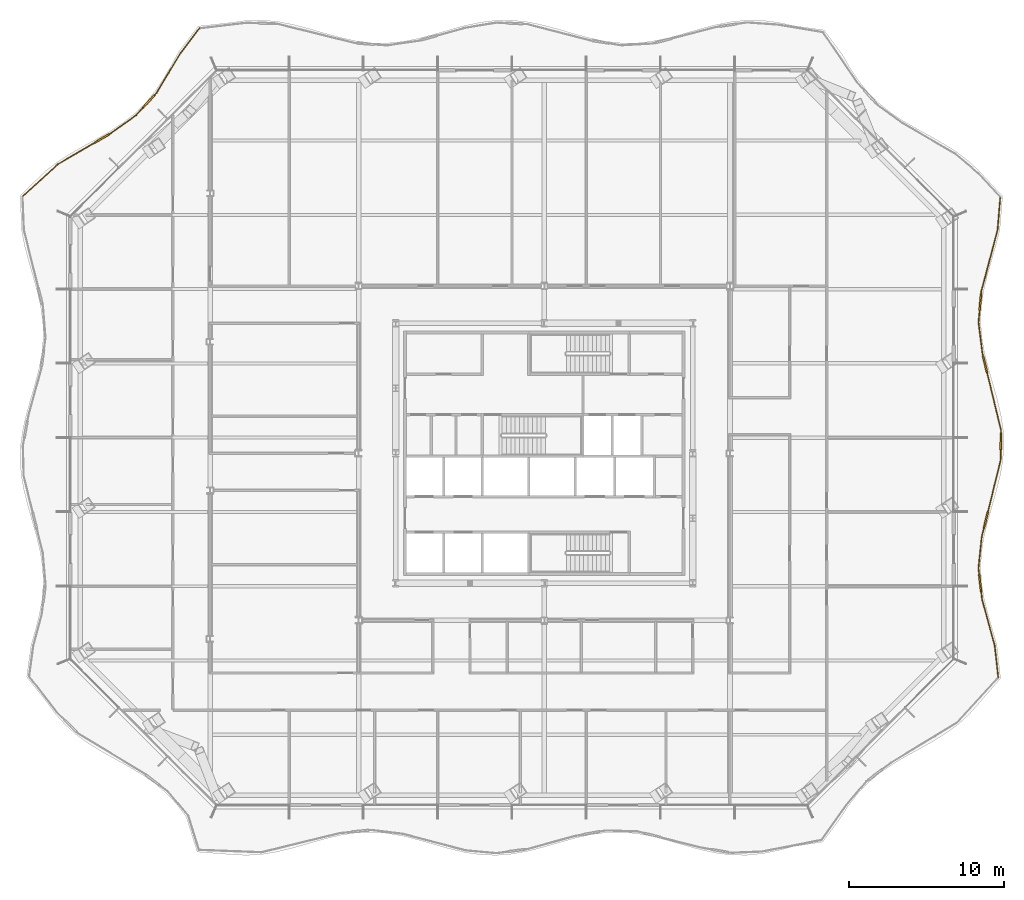
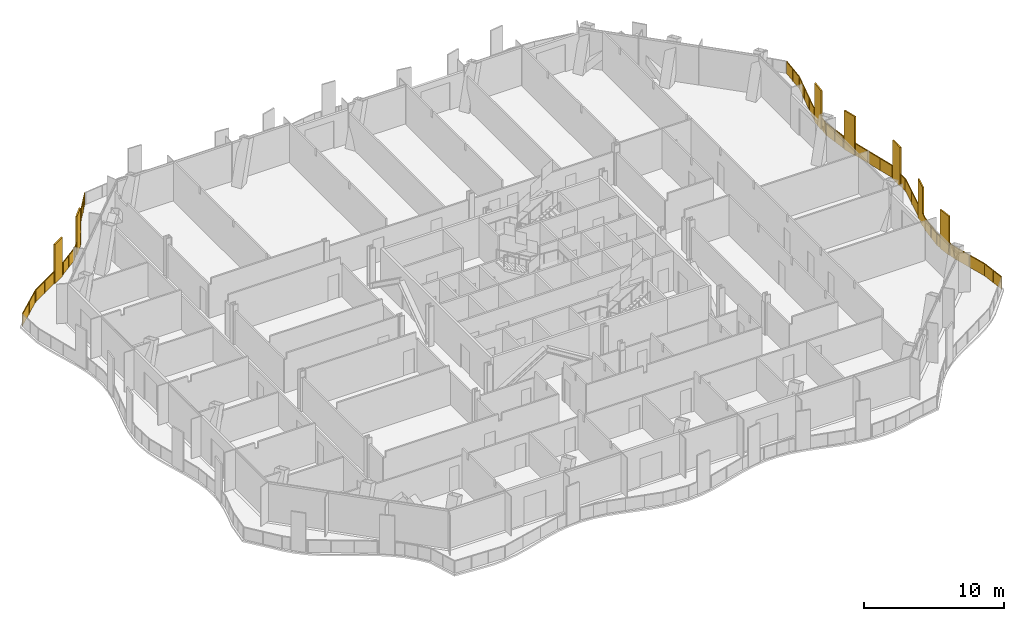
# One storey, part 20 of 22: 2 railings.
"""IFC4 building model written with IfcOpenShell, lengths in metres."""

from ifc_helpers import new_model, si_unit, direction, frame, origin, origin_2d, place, context, subcontext, project, spatial, polyline, rectangle, outline, extrude, material, type_object, element, save


model = new_model("IFC4")

# Units and contexts
model_context = context("Model", 3, precision=1e-05, world=origin(), true_north=direction((0.0, 1.0)))
body_context = subcontext(model_context, "Body", "Model", "MODEL_VIEW")
ifc_project = project(units=[si_unit("LENGTHUNIT", "METRE"), si_unit("AREAUNIT", "SQUARE_METRE"), si_unit("VOLUMEUNIT", "CUBIC_METRE"), si_unit("PLANEANGLEUNIT", "RADIAN"), si_unit("MASSUNIT", "GRAM", prefix="KILO")], contexts=[model_context])

# Site, building, storey
site_placement = place(None, origin())
site = spatial("IfcSite", under=ifc_project, at=site_placement, CompositionType="ELEMENT")
building_placement = place(site_placement, origin())
building = spatial("IfcBuilding", under=site, at=building_placement, Name="Cairn Pilgrim Tower", CompositionType="ELEMENT")
storey_placement = place(building_placement, frame((0.0, 0.0, 105.0)))
storey = spatial("IfcBuildingStorey", under=building, at=storey_placement, Name="L25", CompositionType="ELEMENT", Elevation=105.0)

# Railings
ifc_material = material(Name="Bronze anodised aluminium rail, posts and fin screens with laminated glass infill", Category="aluminium")
railing_type = type_object("IfcRailingType", Name="BALCONY GUARD WITH FIN SCREENS", PredefinedType="GUARDRAIL", material=ifc_material)
railing_1_placement = place(storey_placement, frame((36.54150390625, -12.09375, 0.0)))
element("IfcRailing", 1, at=railing_1_placement, inside=storey, type_object=railing_type, Name="Balcony guard BGF-3 with fin screens", PredefinedType="GUARDRAIL", context=body_context, shape_type="SweptSolid", body=[
    extrude(rectangle(XDim=0.050048828125, YDim=0.050048828125, at=origin_2d()), frame((0.0, 0.0, 1.0751953125), z_axis=(-0.111036990123, 0.99381627418, 0.0), x_axis=(-0.99381627418, -0.111036990123, 0.0)), (0.0, 0.0, 1.0), 2.080078125),
    extrude(rectangle(XDim=0.050048828125, YDim=0.050048828125, at=origin_2d()), frame((-0.23095703125, 2.067138671875, 1.0751953125), z_axis=(-0.263866470339, 0.964559218416, 0.0), x_axis=(-0.964559218416, -0.263866470339, 0.0)), (0.0, 0.0, 1.0), 3.08837890625),
    extrude(rectangle(XDim=1.10009765625, YDim=0.110107421875, at=origin_2d()), frame((-1.168212890625, 6.1005859375, 0.0), z_axis=(0.0, 0.0, 1.0), x_axis=(-0.115122301742, 0.993351325384, 0.0)), (0.0, 0.0, 1.0), 3.39990234375),
    extrude(rectangle(XDim=0.050048828125, YDim=0.050048828125, at=origin_2d()), frame((-1.0458984375, 5.046142578125, 1.0751953125), z_axis=(-0.115122301742, 0.993351325384, 0.0), x_axis=(-0.993351325384, -0.115122301742, 0.0)), (0.0, 0.0, 1.0), 0.511474609375),
    extrude(rectangle(XDim=0.050048828125, YDim=0.050048828125, at=origin_2d()), frame((-1.2314453125, 6.64697265625, 1.0751953125), z_axis=(-0.115122301742, 0.993351325384, 0.0), x_axis=(-0.993351325384, -0.115122301742, 0.0)), (0.0, 0.0, 1.0), 0.416015625),
    extrude(rectangle(XDim=0.050048828125, YDim=0.050048828125, at=origin_2d()), frame((-1.279296875, 7.06005859375, 1.0751953125), z_axis=(0.101832926503, 0.994801515419, 0.0), x_axis=(-0.994801515419, 0.101832926503, 0.0)), (0.0, 0.0, 1.0), 2.0234375),
    extrude(rectangle(XDim=1.10009765625, YDim=0.110107421875, at=origin_2d()), frame((-0.7978515625, 10.1884765625, 0.0), z_axis=(0.0, 0.0, 1.0), x_axis=(0.239700526098, 0.970846876592, 0.0)), (0.0, 0.0, 1.0), 3.39990234375),
    extrude(rectangle(XDim=0.050048828125, YDim=0.050048828125, at=origin_2d()), frame((-1.0732421875, 9.072998046875, 1.0751953125), z_axis=(0.239700526098, 0.970846876592, 0.0), x_axis=(-0.970846876592, 0.239700526098, 0.0)), (0.0, 0.0, 1.0), 0.59912109375),
    extrude(rectangle(XDim=0.050048828125, YDim=0.050048828125, at=origin_2d()), frame((-0.666015625, 10.72265625, 1.0751953125), z_axis=(0.239700526098, 0.970846876592, 0.0), x_axis=(-0.970846876592, 0.239700526098, 0.0)), (0.0, 0.0, 1.0), 3.40869140625),
    extrude(rectangle(XDim=1.10009765625, YDim=0.110107421875, at=origin_2d()), frame((0.16796875, 15.281982421875, 0.0), z_axis=(0.0, 0.0, 1.0), x_axis=(0.013520737172, 0.999908590655, 0.0)), (0.0, 0.0, 1.0), 3.39990234375),
    extrude(rectangle(XDim=0.050048828125, YDim=0.050048828125, at=origin_2d()), frame((0.151123046875, 14.031982421875, 1.0751953125), z_axis=(0.013520737172, 0.999908590655, 0.0), x_axis=(-0.999908590655, 0.013520737172, 0.0)), (0.0, 0.0, 1.0), 0.7001953125),
    extrude(rectangle(XDim=0.050048828125, YDim=0.050048828125, at=origin_2d()), frame((0.175537109375, 15.831787109375, 1.0751953125), z_axis=(0.013520737172, 0.999908590655, 0.0), x_axis=(-0.999908590655, 0.013520737172, 0.0)), (0.0, 0.0, 1.0), 0.150146484375),
    extrude(rectangle(XDim=1.10009765625, YDim=0.110107421875, at=origin_2d()), frame((-0.857177734375, 20.2568359375, 0.0), z_axis=(0.0, 0.0, 1.0), x_axis=(-0.235261490289, 0.971932112437, 0.0)), (0.0, 0.0, 1.0), 3.39990234375),
    extrude(rectangle(XDim=0.050048828125, YDim=0.050048828125, at=origin_2d()), frame((0.177490234375, 15.98193359375, 1.0751953125), z_axis=(-0.235261490289, 0.971932112437, 0.0), x_axis=(-0.971932112437, -0.235261490289, 0.0)), (0.0, 0.0, 1.0), 3.848388671875),
    extrude(rectangle(XDim=0.050048828125, YDim=0.050048828125, at=origin_2d()), frame((-0.986572265625, 20.79150390625, 1.0751953125), z_axis=(-0.235261490289, 0.971932112437, 0.0), x_axis=(-0.971932112437, -0.235261490289, 0.0)), (0.0, 0.0, 1.0), 0.150146484375),
    extrude(rectangle(XDim=0.050048828125, YDim=0.050048828125, at=origin_2d()), frame((-1.02197265625, 20.937255859375, 1.0751953125), z_axis=(-0.126109888678, 0.992016278081, 0.0), x_axis=(-0.992016278081, -0.126109888678, 0.0)), (0.0, 0.0, 1.0), 2.02685546875),
    extrude(rectangle(XDim=1.10009765625, YDim=0.110107421875, at=origin_2d()), frame((-1.158203125, 24.265869140625, 0.0), z_axis=(0.0, 0.0, 1.0), x_axis=(0.090263732863, 0.995917897484, 0.0)), (0.0, 0.0, 1.0), 3.39990234375),
    extrude(rectangle(XDim=0.050048828125, YDim=0.050048828125, at=origin_2d()), frame((-1.277587890625, 22.947998046875, 1.0751953125), z_axis=(0.090263732863, 0.995917897484, 0.0), x_axis=(-0.995917897484, 0.090263732863, 0.0)), (0.0, 0.0, 1.0), 0.773193359375),
    extrude(rectangle(XDim=0.050048828125, YDim=0.050048828125, at=origin_2d()), frame((-1.1083984375, 24.8134765625, 1.0751953125), z_axis=(0.090263732863, 0.995917897484, 0.0), x_axis=(-0.995917897484, 0.090263732863, 0.0)), (0.0, 0.0, 1.0), 0.14990234375),
    extrude(rectangle(XDim=0.050048828125, YDim=0.050048828125, at=origin_2d()), frame((-1.094970703125, 24.962890625, 1.0751953125), z_axis=(0.255864795404, 0.96671257697, 0.0), x_axis=(-0.96671257697, 0.255864795404, 0.0)), (0.0, 0.0, 1.0), 4.108642578125),
    extrude(rectangle(XDim=0.050048828125, YDim=0.050048828125, at=origin_2d()), frame((-0.043701171875, 28.934814453125, 1.0751953125), z_axis=(0.08237157818, 0.996601687289, 0.0), x_axis=(-0.996601687289, 0.08237157818, 0.0)), (0.0, 0.0, 1.0), 2.06884765625),
    extrude(rectangle(XDim=0.050048828125, YDim=0.050048828125, at=origin_2d()), origin(), (0.0, 0.0, 1.0), 1.050048828125),
    extrude(rectangle(XDim=0.050048828125, YDim=0.050048828125, at=origin_2d()), frame((-0.115478515625, 1.03369140625, 0.0)), (0.0, 0.0, 1.0), 1.050048828125),
    extrude(rectangle(XDim=0.050048828125, YDim=0.050048828125, at=origin_2d()), frame((-0.23095703125, 2.067138671875, 0.0)), (0.0, 0.0, 1.0), 1.050048828125),
    extrude(rectangle(XDim=0.050048828125, YDim=0.050048828125, at=origin_2d()), frame((-0.638427734375, 3.556640625, 0.0)), (0.0, 0.0, 1.0), 1.050048828125),
    extrude(rectangle(XDim=0.050048828125, YDim=0.050048828125, at=origin_2d()), frame((-1.0458984375, 5.046142578125, 0.0)), (0.0, 0.0, 1.0), 1.050048828125),
    extrude(rectangle(XDim=0.050048828125, YDim=0.050048828125, at=origin_2d()), frame((-1.101806640625, 5.529296875, 0.0)), (0.0, 0.0, 1.0), 1.050048828125),
    extrude(rectangle(XDim=0.050048828125, YDim=0.050048828125, at=origin_2d()), frame((-1.234375, 6.671630859375, 0.0)), (0.0, 0.0, 1.0), 1.050048828125),
    extrude(rectangle(XDim=0.050048828125, YDim=0.050048828125, at=origin_2d()), frame((-1.279296875, 7.06005859375, 0.0)), (0.0, 0.0, 1.0), 1.050048828125),
    extrude(rectangle(XDim=0.050048828125, YDim=0.050048828125, at=origin_2d()), frame((-1.17626953125, 8.06640625, 0.0)), (0.0, 0.0, 1.0), 1.050048828125),
    extrude(rectangle(XDim=0.050048828125, YDim=0.050048828125, at=origin_2d()), frame((-1.0732421875, 9.072998046875, 0.0)), (0.0, 0.0, 1.0), 1.050048828125),
    extrude(rectangle(XDim=0.050048828125, YDim=0.050048828125, at=origin_2d()), frame((-0.935546875, 9.63037109375, 0.0)), (0.0, 0.0, 1.0), 1.050048828125),
    extrude(rectangle(XDim=0.050048828125, YDim=0.050048828125, at=origin_2d()), frame((-0.659912109375, 10.746826171875, 0.0)), (0.0, 0.0, 1.0), 1.050048828125),
    extrude(rectangle(XDim=0.050048828125, YDim=0.050048828125, at=origin_2d()), frame((-0.25439453125, 12.389404296875, 0.0)), (0.0, 0.0, 1.0), 1.050048828125),
    extrude(rectangle(XDim=0.050048828125, YDim=0.050048828125, at=origin_2d()), frame((0.151123046875, 14.031982421875, 0.0)), (0.0, 0.0, 1.0), 1.050048828125),
    extrude(rectangle(XDim=0.050048828125, YDim=0.050048828125, at=origin_2d()), frame((0.16015625, 14.70703125, 0.0)), (0.0, 0.0, 1.0), 1.050048828125),
    extrude(rectangle(XDim=0.050048828125, YDim=0.050048828125, at=origin_2d()), frame((0.17578125, 15.85693359375, 0.0)), (0.0, 0.0, 1.0), 1.050048828125),
    extrude(rectangle(XDim=0.050048828125, YDim=0.050048828125, at=origin_2d()), frame((0.177490234375, 15.98193359375, 0.0)), (0.0, 0.0, 1.0), 1.050048828125),
    extrude(rectangle(XDim=0.050048828125, YDim=0.050048828125, at=origin_2d()), frame((-0.122314453125, 17.220703125, 0.0)), (0.0, 0.0, 1.0), 1.050048828125),
    extrude(rectangle(XDim=0.050048828125, YDim=0.050048828125, at=origin_2d()), frame((-0.422119140625, 18.459228515625, 0.0)), (0.0, 0.0, 1.0), 1.050048828125),
    extrude(rectangle(XDim=0.050048828125, YDim=0.050048828125, at=origin_2d()), frame((-0.721923828125, 19.697998046875, 0.0)), (0.0, 0.0, 1.0), 1.050048828125),
    extrude(rectangle(XDim=0.050048828125, YDim=0.050048828125, at=origin_2d()), frame((-0.99267578125, 20.815673828125, 0.0)), (0.0, 0.0, 1.0), 1.050048828125),
    extrude(rectangle(XDim=0.050048828125, YDim=0.050048828125, at=origin_2d()), frame((-1.02197265625, 20.937255859375, 0.0)), (0.0, 0.0, 1.0), 1.050048828125),
    extrude(rectangle(XDim=0.050048828125, YDim=0.050048828125, at=origin_2d()), frame((-1.14990234375, 21.942626953125, 0.0)), (0.0, 0.0, 1.0), 1.050048828125),
    extrude(rectangle(XDim=0.050048828125, YDim=0.050048828125, at=origin_2d()), frame((-1.277587890625, 22.947998046875, 0.0)), (0.0, 0.0, 1.0), 1.050048828125),
    extrude(rectangle(XDim=0.050048828125, YDim=0.050048828125, at=origin_2d()), frame((-1.2099609375, 23.693115234375, 0.0)), (0.0, 0.0, 1.0), 1.050048828125),
    extrude(rectangle(XDim=0.050048828125, YDim=0.050048828125, at=origin_2d()), frame((-1.106201171875, 24.83837890625, 0.0)), (0.0, 0.0, 1.0), 1.050048828125),
    extrude(rectangle(XDim=0.050048828125, YDim=0.050048828125, at=origin_2d()), frame((-1.094970703125, 24.962890625, 0.0)), (0.0, 0.0, 1.0), 1.050048828125),
    extrude(rectangle(XDim=0.050048828125, YDim=0.050048828125, at=origin_2d()), frame((-0.74462890625, 26.286865234375, 0.0)), (0.0, 0.0, 1.0), 1.050048828125),
    extrude(rectangle(XDim=0.050048828125, YDim=0.050048828125, at=origin_2d()), frame((-0.39404296875, 27.61083984375, 0.0)), (0.0, 0.0, 1.0), 1.050048828125),
    extrude(rectangle(XDim=0.050048828125, YDim=0.050048828125, at=origin_2d()), frame((-0.043701171875, 28.934814453125, 0.0)), (0.0, 0.0, 1.0), 1.050048828125),
    extrude(rectangle(XDim=0.050048828125, YDim=0.050048828125, at=origin_2d()), frame((0.04150390625, 29.9658203125, 0.0)), (0.0, 0.0, 1.0), 1.050048828125),
    extrude(rectangle(XDim=0.050048828125, YDim=0.050048828125, at=origin_2d()), frame((0.126708984375, 30.99658203125, 0.0)), (0.0, 0.0, 1.0), 1.050048828125),
    extrude(outline(polyline([(0.02490234375, 0.0), (1.014892578125, 0.0), (1.014892578125, 1.050048828125), (0.02490234375, 1.050048828125), (0.02490234375, 0.0)])), frame((-0.005859375, -0.000732421875, 0.0), z_axis=(0.99381627418, 0.111036990123, 0.0), x_axis=(-0.111036990123, 0.99381627418, 0.0)), (0.0, 0.0, 1.0), 0.011962890625),
    extrude(outline(polyline([(0.02490234375, 0.0), (1.014892578125, 0.0), (1.014892578125, 1.050048828125), (0.02490234375, 1.050048828125), (0.02490234375, 0.0)])), frame((-0.121337890625, 1.032958984375, 0.0), z_axis=(0.99381627418, 0.111036990123, 0.0), x_axis=(-0.111036990123, 0.99381627418, 0.0)), (0.0, 0.0, 1.0), 0.011962890625),
    extrude(outline(polyline([(0.02490234375, 0.0), (1.519287109375, 0.0), (1.519287109375, 1.050048828125), (0.02490234375, 1.050048828125), (0.02490234375, 0.0)])), frame((-0.23681640625, 2.065673828125, 0.0), z_axis=(0.964559218416, 0.263866470339, 0.0), x_axis=(-0.263866470339, 0.964559218416, 0.0)), (0.0, 0.0, 1.0), 0.011962890625),
    extrude(outline(polyline([(0.02490234375, 0.0), (1.519287109375, 0.0), (1.519287109375, 1.050048828125), (0.02490234375, 1.050048828125), (0.02490234375, 0.0)])), frame((-0.644287109375, 3.55517578125, 0.0), z_axis=(0.964559218416, 0.263866470339, 0.0), x_axis=(-0.263866470339, 0.964559218416, 0.0)), (0.0, 0.0, 1.0), 0.011962890625),
    extrude(outline(polyline([(0.02490234375, 0.0), (0.46142578125, 0.0), (0.46142578125, 1.050048828125), (0.02490234375, 1.050048828125), (0.02490234375, 0.0)])), frame((-1.0517578125, 5.04541015625, 0.0), z_axis=(0.993351325384, 0.115122301742, 0.0), x_axis=(-0.115122301742, 0.993351325384, 0.0)), (0.0, 0.0, 1.0), 0.011962890625),
    extrude(outline(polyline([(0.02490234375, 0.0), (0.365966796875, 0.0), (0.365966796875, 1.050048828125), (0.02490234375, 1.050048828125), (0.02490234375, 0.0)])), frame((-1.240234375, 6.671142578125, 0.0), z_axis=(0.993351325384, 0.115122301742, 0.0), x_axis=(-0.115122301742, 0.993351325384, 0.0)), (0.0, 0.0, 1.0), 0.011962890625),
    extrude(outline(polyline([(0.02490234375, 0.0), (0.98681640625, 0.0), (0.98681640625, 1.050048828125), (0.02490234375, 1.050048828125), (0.02490234375, 0.0)])), frame((-1.28515625, 7.060546875, 0.0), z_axis=(0.994801515419, -0.101832926503, 0.0), x_axis=(0.101832926503, 0.994801515419, 0.0)), (0.0, 0.0, 1.0), 0.011962890625),
    extrude(outline(polyline([(0.02490234375, 0.0), (0.98681640625, 0.0), (0.98681640625, 1.050048828125), (0.02490234375, 1.050048828125), (0.02490234375, 0.0)])), frame((-1.18212890625, 8.067138671875, 0.0), z_axis=(0.994801515419, -0.101832926503, 0.0), x_axis=(0.101832926503, 0.994801515419, 0.0)), (0.0, 0.0, 1.0), 0.011962890625),
    extrude(outline(polyline([(0.02490234375, 0.0), (0.549072265625, 0.0), (0.549072265625, 1.050048828125), (0.02490234375, 1.050048828125), (0.02490234375, 0.0)])), frame((-1.0791015625, 9.074462890625, 0.0), z_axis=(0.970846876592, -0.239700526098, 0.0), x_axis=(0.239700526098, 0.970846876592, 0.0)), (0.0, 0.0, 1.0), 0.011962890625),
    extrude(outline(polyline([(0.02490234375, 0.0), (1.666748046875, 0.0), (1.666748046875, 1.050048828125), (0.02490234375, 1.050048828125), (0.02490234375, 0.0)])), frame((-0.665771484375, 10.748291015625, 0.0), z_axis=(0.970846876592, -0.239700526098, 0.0), x_axis=(0.239700526098, 0.970846876592, 0.0)), (0.0, 0.0, 1.0), 0.011962890625),
    extrude(outline(polyline([(0.02490234375, 0.0), (1.666748046875, 0.0), (1.666748046875, 1.050048828125), (0.02490234375, 1.050048828125), (0.02490234375, 0.0)])), frame((-0.26025390625, 12.390869140625, 0.0), z_axis=(0.970846876592, -0.239700526098, 0.0), x_axis=(0.239700526098, 0.970846876592, 0.0)), (0.0, 0.0, 1.0), 0.011962890625),
    extrude(outline(polyline([(0.02490234375, 0.0), (0.650146484375, 0.0), (0.650146484375, 1.050048828125), (0.02490234375, 1.050048828125), (0.02490234375, 0.0)])), frame((0.145263671875, 14.031982421875, 0.0), z_axis=(0.999908590655, -0.013520737172, 0.0), x_axis=(0.013520737172, 0.999908590655, 0.0)), (0.0, 0.0, 1.0), 0.011962890625),
    extrude(outline(polyline([(0.02490234375, 0.0), (0.10009765625, 0.0), (0.10009765625, 1.050048828125), (0.02490234375, 1.050048828125), (0.02490234375, 0.0)])), frame((0.169921875, 15.85693359375, 0.0), z_axis=(0.999908590655, -0.013520737172, 0.0), x_axis=(0.013520737172, 0.999908590655, 0.0)), (0.0, 0.0, 1.0), 0.011962890625),
    extrude(outline(polyline([(0.02490234375, 0.0), (1.24951171875, 0.0), (1.24951171875, 1.050048828125), (0.02490234375, 1.050048828125), (0.02490234375, 0.0)])), frame((0.171630859375, 15.98046875, 0.0), z_axis=(0.971932112437, 0.235261490289, 0.0), x_axis=(-0.235261490289, 0.971932112437, 0.0)), (0.0, 0.0, 1.0), 0.011962890625),
    extrude(outline(polyline([(0.02490234375, 0.0), (1.24951171875, 0.0), (1.24951171875, 1.050048828125), (0.02490234375, 1.050048828125), (0.02490234375, 0.0)])), frame((-0.128173828125, 17.21923828125, 0.0), z_axis=(0.971932112437, 0.235261490289, 0.0), x_axis=(-0.235261490289, 0.971932112437, 0.0)), (0.0, 0.0, 1.0), 0.011962890625),
    extrude(outline(polyline([(0.02490234375, 0.0), (1.24951171875, 0.0), (1.24951171875, 1.050048828125), (0.02490234375, 1.050048828125), (0.02490234375, 0.0)])), frame((-0.427978515625, 18.457763671875, 0.0), z_axis=(0.971932112437, 0.235261490289, 0.0), x_axis=(-0.235261490289, 0.971932112437, 0.0)), (0.0, 0.0, 1.0), 0.011962890625),
    extrude(outline(polyline([(0.02490234375, 0.0), (0.10009765625, 0.0), (0.10009765625, 1.050048828125), (0.02490234375, 1.050048828125), (0.02490234375, 0.0)])), frame((-0.998291015625, 20.814208984375, 0.0), z_axis=(0.971932112437, 0.235261490289, 0.0), x_axis=(-0.235261490289, 0.971932112437, 0.0)), (0.0, 0.0, 1.0), 0.011962890625),
    extrude(outline(polyline([(0.02490234375, 0.0), (0.988525390625, 0.0), (0.988525390625, 1.050048828125), (0.02490234375, 1.050048828125), (0.02490234375, 0.0)])), frame((-1.02783203125, 20.9365234375, 0.0), z_axis=(0.992016278081, 0.126109888678, 0.0), x_axis=(-0.126109888678, 0.992016278081, 0.0)), (0.0, 0.0, 1.0), 0.011962890625),
    extrude(outline(polyline([(0.02490234375, 0.0), (0.988525390625, 0.0), (0.988525390625, 1.050048828125), (0.02490234375, 1.050048828125), (0.02490234375, 0.0)])), frame((-1.15576171875, 21.94189453125, 0.0), z_axis=(0.992016278081, 0.126109888678, 0.0), x_axis=(-0.126109888678, 0.992016278081, 0.0)), (0.0, 0.0, 1.0), 0.011962890625),
    extrude(outline(polyline([(0.02490234375, 0.0), (0.72314453125, 0.0), (0.72314453125, 1.050048828125), (0.02490234375, 1.050048828125), (0.02490234375, 0.0)])), frame((-1.283447265625, 22.948486328125, 0.0), z_axis=(0.995917897484, -0.090263732863, 0.0), x_axis=(0.090263732863, 0.995917897484, 0.0)), (0.0, 0.0, 1.0), 0.011962890625),
    extrude(outline(polyline([(0.02490234375, 0.0), (0.099853515625, 0.0), (0.099853515625, 1.050048828125), (0.02490234375, 1.050048828125), (0.02490234375, 0.0)])), frame((-1.1123046875, 24.839111328125, 0.0), z_axis=(0.995917897484, -0.090263732863, 0.0), x_axis=(0.090263732863, 0.995917897484, 0.0)), (0.0, 0.0, 1.0), 0.011962890625),
    extrude(outline(polyline([(0.02490234375, 0.0), (1.344482421875, 0.0), (1.344482421875, 1.050048828125), (0.02490234375, 1.050048828125), (0.02490234375, 0.0)])), frame((-1.100830078125, 24.96435546875, 0.0), z_axis=(0.96671257697, -0.255864795404, 0.0), x_axis=(0.255864795404, 0.96671257697, 0.0)), (0.0, 0.0, 1.0), 0.011962890625),
    extrude(outline(polyline([(0.02490234375, 0.0), (1.344482421875, 0.0), (1.344482421875, 1.050048828125), (0.02490234375, 1.050048828125), (0.02490234375, 0.0)])), frame((-0.750244140625, 26.288330078125, 0.0), z_axis=(0.96671257697, -0.255864795404, 0.0), x_axis=(0.255864795404, 0.96671257697, 0.0)), (0.0, 0.0, 1.0), 0.011962890625),
    extrude(outline(polyline([(0.02490234375, 0.0), (1.344482421875, 0.0), (1.344482421875, 1.050048828125), (0.02490234375, 1.050048828125), (0.02490234375, 0.0)])), frame((-0.39990234375, 27.6123046875, 0.0), z_axis=(0.96671257697, -0.255864795404, 0.0), x_axis=(0.255864795404, 0.96671257697, 0.0)), (0.0, 0.0, 1.0), 0.011962890625),
    extrude(outline(polyline([(0.02490234375, 0.0), (1.00927734375, 0.0), (1.00927734375, 1.050048828125), (0.02490234375, 1.050048828125), (0.02490234375, 0.0)])), frame((-0.049560546875, 28.935302734375, 0.0), z_axis=(0.996601687289, -0.08237157818, 0.0), x_axis=(0.08237157818, 0.996601687289, 0.0)), (0.0, 0.0, 1.0), 0.011962890625),
    extrude(outline(polyline([(0.02490234375, 0.0), (1.00927734375, 0.0), (1.00927734375, 1.050048828125), (0.02490234375, 1.050048828125), (0.02490234375, 0.0)])), frame((0.03564453125, 29.96630859375, 0.0), z_axis=(0.996601687289, -0.08237157818, 0.0), x_axis=(0.08237157818, 0.996601687289, 0.0)), (0.0, 0.0, 1.0), 0.011962890625),
])
railing_2_placement = place(storey_placement, frame((-15.084716796875, 29.869873046875, 0.0)))
element("IfcRailing", 2, at=railing_2_placement, inside=storey, type_object=railing_type, Name="Balcony guard BGF-6 with fin screens", PredefinedType="GUARDRAIL", context=body_context, shape_type="SweptSolid", body=[
    extrude(rectangle(XDim=0.050048828125, YDim=0.050048828125, at=origin_2d()), frame((0.0, 0.0, 1.0751953125), z_axis=(-0.608099865792, -0.793860537641, 0.0), x_axis=(0.793860537641, -0.608099865792, 0.0)), (0.0, 0.0, 1.0), 1.99365234375),
    extrude(rectangle(XDim=0.050048828125, YDim=0.050048828125, at=origin_2d()), frame((-1.21240234375, -1.582763671875, 1.0751953125), z_axis=(-0.514901899894, -0.857249108186, 0.0), x_axis=(0.857249108186, -0.514901899894, 0.0)), (0.0, 0.0, 1.0), 3.005126953125),
    extrude(rectangle(XDim=1.10009765625, YDim=0.110107421875, at=origin_2d()), frame((-3.284912109375, -4.7333984375, 0.0), z_axis=(0.0, 0.0, 1.0), x_axis=(-0.674765345952, -0.738032335269, 0.0)), (0.0, 0.0, 1.0), 3.39990234375),
    extrude(rectangle(XDim=0.050048828125, YDim=0.050048828125, at=origin_2d()), frame((-2.759765625, -4.158935546875, 1.0751953125), z_axis=(-0.674765345952, -0.738032335269, 0.0), x_axis=(0.738032335269, -0.674765345952, 0.0)), (0.0, 0.0, 1.0), 0.228271484375),
    extrude(rectangle(XDim=0.050048828125, YDim=0.050048828125, at=origin_2d()), frame((-3.656005859375, -5.139404296875, 1.0751953125), z_axis=(-0.674765345952, -0.738032335269, 0.0), x_axis=(0.738032335269, -0.674765345952, 0.0)), (0.0, 0.0, 1.0), 0.6435546875),
    extrude(rectangle(XDim=0.050048828125, YDim=0.050048828125, at=origin_2d()), frame((-4.09033203125, -5.6142578125, 1.0751953125), z_axis=(-0.811978995157, -0.58368665517, 0.0), x_axis=(0.58368665517, -0.811978995157, 0.0)), (0.0, 0.0, 1.0), 1.988037109375),
    extrude(rectangle(XDim=1.10009765625, YDim=0.110107421875, at=origin_2d()), frame((-6.30908203125, -7.127685546875, 0.0), z_axis=(0.0, 0.0, 1.0), x_axis=(-0.863553104256, -0.504257906364, 0.0)), (0.0, 0.0, 1.0), 3.39990234375),
    extrude(rectangle(XDim=0.050048828125, YDim=0.050048828125, at=origin_2d()), frame((-5.70458984375, -6.774658203125, 1.0751953125), z_axis=(-0.863553104256, -0.504257906364, 0.0), x_axis=(0.504257906364, -0.863553104256, 0.0)), (0.0, 0.0, 1.0), 0.150146484375),
    extrude(rectangle(XDim=0.050048828125, YDim=0.050048828125, at=origin_2d()), frame((-6.7841796875, -7.405029296875, 1.0751953125), z_axis=(-0.863553104256, -0.504257906364, 0.0), x_axis=(0.504257906364, -0.863553104256, 0.0)), (0.0, 0.0, 1.0), 2.75146484375),
    extrude(rectangle(XDim=0.050048828125, YDim=0.050048828125, at=origin_2d()), frame((-9.16015625, -8.79248046875, 1.0751953125), z_axis=(-0.737264250673, -0.67560448835, 0.0), x_axis=(0.67560448835, -0.737264250673, 0.0)), (0.0, 0.0, 1.0), 3.036865234375),
    extrude(rectangle(XDim=0.050048828125, YDim=0.050048828125, at=origin_2d()), origin(), (0.0, 0.0, 1.0), 1.050048828125),
    extrude(rectangle(XDim=0.050048828125, YDim=0.050048828125, at=origin_2d()), frame((-0.606201171875, -0.79150390625, 0.0)), (0.0, 0.0, 1.0), 1.050048828125),
    extrude(rectangle(XDim=0.050048828125, YDim=0.050048828125, at=origin_2d()), frame((-1.21240234375, -1.582763671875, 0.0)), (0.0, 0.0, 1.0), 1.050048828125),
    extrude(rectangle(XDim=0.050048828125, YDim=0.050048828125, at=origin_2d()), frame((-1.986083984375, -2.870849609375, 0.0)), (0.0, 0.0, 1.0), 1.050048828125),
    extrude(rectangle(XDim=0.050048828125, YDim=0.050048828125, at=origin_2d()), frame((-2.759765625, -4.158935546875, 0.0)), (0.0, 0.0, 1.0), 1.050048828125),
    extrude(rectangle(XDim=0.050048828125, YDim=0.050048828125, at=origin_2d()), frame((-2.89697265625, -4.30908203125, 0.0)), (0.0, 0.0, 1.0), 1.050048828125),
    extrude(rectangle(XDim=0.050048828125, YDim=0.050048828125, at=origin_2d()), frame((-3.673095703125, -5.15771484375, 0.0)), (0.0, 0.0, 1.0), 1.050048828125),
    extrude(rectangle(XDim=0.050048828125, YDim=0.050048828125, at=origin_2d()), frame((-4.09033203125, -5.6142578125, 0.0)), (0.0, 0.0, 1.0), 1.050048828125),
    extrude(rectangle(XDim=0.050048828125, YDim=0.050048828125, at=origin_2d()), frame((-4.8974609375, -6.1943359375, 0.0)), (0.0, 0.0, 1.0), 1.050048828125),
    extrude(rectangle(XDim=0.050048828125, YDim=0.050048828125, at=origin_2d()), frame((-5.70458984375, -6.774658203125, 0.0)), (0.0, 0.0, 1.0), 1.050048828125),
    extrude(rectangle(XDim=0.050048828125, YDim=0.050048828125, at=origin_2d()), frame((-5.8125, -6.837646484375, 0.0)), (0.0, 0.0, 1.0), 1.050048828125),
    extrude(rectangle(XDim=0.050048828125, YDim=0.050048828125, at=origin_2d()), frame((-6.8056640625, -7.417724609375, 0.0)), (0.0, 0.0, 1.0), 1.050048828125),
    extrude(rectangle(XDim=0.050048828125, YDim=0.050048828125, at=origin_2d()), frame((-7.98291015625, -8.10498046875, 0.0)), (0.0, 0.0, 1.0), 1.050048828125),
    extrude(rectangle(XDim=0.050048828125, YDim=0.050048828125, at=origin_2d()), frame((-9.16015625, -8.79248046875, 0.0)), (0.0, 0.0, 1.0), 1.050048828125),
    extrude(rectangle(XDim=0.050048828125, YDim=0.050048828125, at=origin_2d()), frame((-10.27978515625, -9.818359375, 0.0)), (0.0, 0.0, 1.0), 1.050048828125),
    extrude(rectangle(XDim=0.050048828125, YDim=0.050048828125, at=origin_2d()), frame((-11.399169921875, -10.84423828125, 0.0)), (0.0, 0.0, 1.0), 1.050048828125),
    extrude(outline(polyline([(0.02490234375, 0.0), (0.971923828125, 0.0), (0.971923828125, 1.050048828125), (0.02490234375, 1.050048828125), (0.02490234375, 0.0)])), frame((0.004638671875, -0.003662109375, 0.0), z_axis=(-0.793860537641, 0.608099865792, 0.0), x_axis=(-0.608099865792, -0.793860537641, 0.0)), (0.0, 0.0, 1.0), 0.011962890625),
    extrude(outline(polyline([(0.02490234375, 0.0), (0.971923828125, 0.0), (0.971923828125, 1.050048828125), (0.02490234375, 1.050048828125), (0.02490234375, 0.0)])), frame((-0.6015625, -0.794921875, 0.0), z_axis=(-0.793860537641, 0.608099865792, 0.0), x_axis=(-0.608099865792, -0.793860537641, 0.0)), (0.0, 0.0, 1.0), 0.011962890625),
    extrude(outline(polyline([(0.02490234375, 0.0), (1.4775390625, 0.0), (1.4775390625, 1.050048828125), (0.02490234375, 1.050048828125), (0.02490234375, 0.0)])), frame((-1.207275390625, -1.5859375, 0.0), z_axis=(-0.857249108186, 0.514901899894, 0.0), x_axis=(-0.514901899894, -0.857249108186, 0.0)), (0.0, 0.0, 1.0), 0.011962890625),
    extrude(outline(polyline([(0.02490234375, 0.0), (1.4775390625, 0.0), (1.4775390625, 1.050048828125), (0.02490234375, 1.050048828125), (0.02490234375, 0.0)])), frame((-1.98095703125, -2.8740234375, 0.0), z_axis=(-0.857249108186, 0.514901899894, 0.0), x_axis=(-0.514901899894, -0.857249108186, 0.0)), (0.0, 0.0, 1.0), 0.011962890625),
    extrude(outline(polyline([(0.02490234375, 0.0), (0.17822265625, 0.0), (0.17822265625, 1.050048828125), (0.02490234375, 1.050048828125), (0.02490234375, 0.0)])), frame((-2.75537109375, -4.1630859375, 0.0), z_axis=(-0.738032335269, 0.674765345952, 0.0), x_axis=(-0.674765345952, -0.738032335269, 0.0)), (0.0, 0.0, 1.0), 0.011962890625),
    extrude(outline(polyline([(0.02490234375, 0.0), (0.593505859375, 0.0), (0.593505859375, 1.050048828125), (0.02490234375, 1.050048828125), (0.02490234375, 0.0)])), frame((-3.668701171875, -5.161865234375, 0.0), z_axis=(-0.738032335269, 0.674765345952, 0.0), x_axis=(-0.674765345952, -0.738032335269, 0.0)), (0.0, 0.0, 1.0), 0.011962890625),
    extrude(outline(polyline([(0.02490234375, 0.0), (0.968994140625, 0.0), (0.968994140625, 1.050048828125), (0.02490234375, 1.050048828125), (0.02490234375, 0.0)])), frame((-4.0869140625, -5.619140625, 0.0), z_axis=(-0.58368665517, 0.811978995157, 0.0), x_axis=(-0.811978995157, -0.58368665517, 0.0)), (0.0, 0.0, 1.0), 0.011962890625),
    extrude(outline(polyline([(0.02490234375, 0.0), (0.968994140625, 0.0), (0.968994140625, 1.050048828125), (0.02490234375, 1.050048828125), (0.02490234375, 0.0)])), frame((-4.89404296875, -6.19921875, 0.0), z_axis=(-0.58368665517, 0.811978995157, 0.0), x_axis=(-0.811978995157, -0.58368665517, 0.0)), (0.0, 0.0, 1.0), 0.011962890625),
    extrude(outline(polyline([(0.02490234375, 0.0), (0.10009765625, 0.0), (0.10009765625, 1.050048828125), (0.02490234375, 1.050048828125), (0.02490234375, 0.0)])), frame((-5.70166015625, -6.77978515625, 0.0), z_axis=(-0.504257906364, 0.863553104256, 0.0), x_axis=(-0.863553104256, -0.504257906364, 0.0)), (0.0, 0.0, 1.0), 0.011962890625),
    extrude(outline(polyline([(0.02490234375, 0.0), (1.338134765625, 0.0), (1.338134765625, 1.050048828125), (0.02490234375, 1.050048828125), (0.02490234375, 0.0)])), frame((-6.802734375, -7.4228515625, 0.0), z_axis=(-0.504257906364, 0.863553104256, 0.0), x_axis=(-0.863553104256, -0.504257906364, 0.0)), (0.0, 0.0, 1.0), 0.011962890625),
    extrude(outline(polyline([(0.02490234375, 0.0), (1.338134765625, 0.0), (1.338134765625, 1.050048828125), (0.02490234375, 1.050048828125), (0.02490234375, 0.0)])), frame((-7.97998046875, -8.110107421875, 0.0), z_axis=(-0.504257906364, 0.863553104256, 0.0), x_axis=(-0.863553104256, -0.504257906364, 0.0)), (0.0, 0.0, 1.0), 0.011962890625),
    extrude(outline(polyline([(0.02490234375, 0.0), (1.493408203125, 0.0), (1.493408203125, 1.050048828125), (0.02490234375, 1.050048828125), (0.02490234375, 0.0)])), frame((-9.156005859375, -8.796875, 0.0), z_axis=(-0.67560448835, 0.737264250673, 0.0), x_axis=(-0.737264250673, -0.67560448835, 0.0)), (0.0, 0.0, 1.0), 0.011962890625),
    extrude(outline(polyline([(0.02490234375, 0.0), (1.493408203125, 0.0), (1.493408203125, 1.050048828125), (0.02490234375, 1.050048828125), (0.02490234375, 0.0)])), frame((-10.275634765625, -9.82275390625, 0.0), z_axis=(-0.67560448835, 0.737264250673, 0.0), x_axis=(-0.737264250673, -0.67560448835, 0.0)), (0.0, 0.0, 1.0), 0.011962890625),
])

save(model, "model.ifc")
